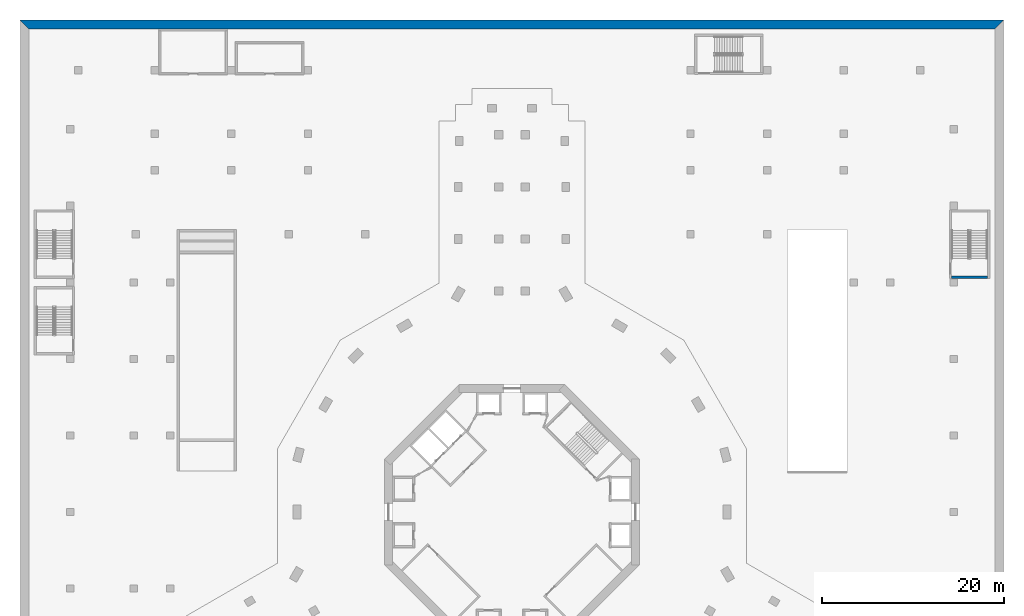
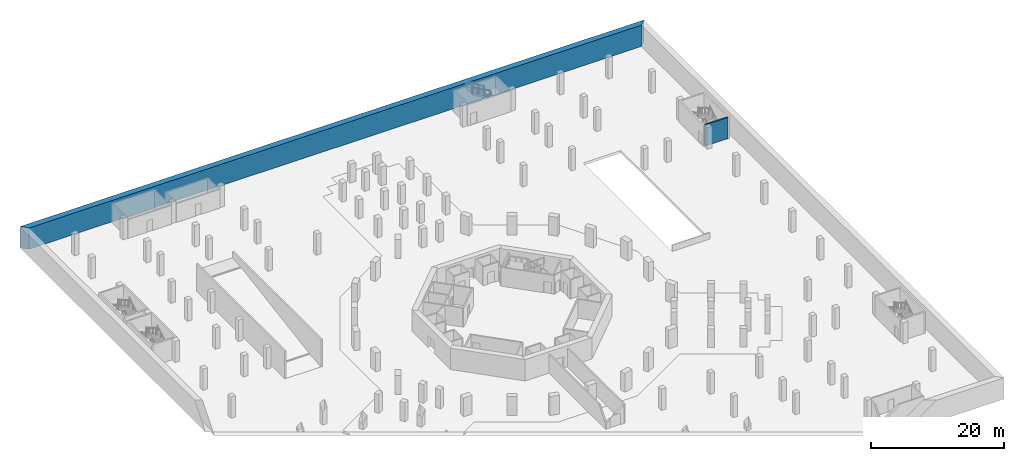
# One storey, part 11 of 25: 2 walls.
"""IFC4 building model written with IfcOpenShell, lengths in metres."""

from ifc_helpers import new_model, si_unit, direction, frame, frame_2d, origin, place, context, subcontext, project, spatial, polyline, rectangle, outline, extrude, material, layer, layer_set, type_object, element, save


model = new_model("IFC4")

# Units and contexts
model_context = context("Model", 3, precision=1e-05, world=origin(), true_north=direction((0.0, 1.0)))
body_context = subcontext(model_context, "Body", "Model", "MODEL_VIEW")
ifc_project = project(units=[si_unit("LENGTHUNIT", "METRE"), si_unit("AREAUNIT", "SQUARE_METRE"), si_unit("VOLUMEUNIT", "CUBIC_METRE"), si_unit("PLANEANGLEUNIT", "RADIAN"), si_unit("MASSUNIT", "GRAM", prefix="KILO")], contexts=[model_context])

# Site, building, storey
site_placement = place(None, origin())
site = spatial("IfcSite", under=ifc_project, at=site_placement, CompositionType="ELEMENT")
building_placement = place(site_placement, origin())
building = spatial("IfcBuilding", under=site, at=building_placement, Name="Verdalira Terraces Hotel", CompositionType="ELEMENT")
storey_placement = place(building_placement, frame((0.0, 0.0, -7.800049)))
storey = spatial("IfcBuildingStorey", under=building, at=storey_placement, Name="B2", CompositionType="ELEMENT", Elevation=-7.800048828125)

# Walls
ifc_material_1 = material(Name="Concrete C40", Category="concrete")
ifc_layer_1 = layer(ifc_material_1, 1.0)
ifc_layer_set_1 = layer_set([ifc_layer_1], Name="Retaining wall 1000 C40")
wall_type_1 = type_object("IfcWallType", Name="Retaining wall 1000 C40", PredefinedType="SOLIDWALL", material=ifc_layer_set_1)
wall_1_placement = place(storey_placement, origin())
element("IfcWall", 1, at=wall_1_placement, inside=storey, type_object=wall_type_1, Name="Retaining wall B2 side 1", PredefinedType="SOLIDWALL", context=body_context, shape_type="SweptSolid", body=[
    extrude(outline(polyline([(54.0, 54.0), (-54.0, 54.0), (-53.0, 53.0), (53.0, 53.0), (54.0, 54.0)])), origin(), (0.0, 0.0, 1.0), 3.900146),
])
ifc_material_2 = material(Name="Concrete C40", Category="concrete")
ifc_layer_2 = layer(ifc_material_2, 0.25)
ifc_layer_set_2 = layer_set([ifc_layer_2], Name="Stair enclosure wall 250 C40")
wall_type_2 = type_object("IfcWallType", Name="Stair enclosure wall 250 C40", PredefinedType="SOLIDWALL", material=ifc_layer_set_2)
wall_2_placement = place(storey_placement, frame((52.199951, 25.774902, 0.0), z_axis=(0.0, 0.0, 1.0), x_axis=(-1.0, 0.0, 0.0)))
element("IfcWall", 2, at=wall_2_placement, inside=storey, type_object=wall_type_2, Name="Stair BS5 enclosure wall", PredefinedType="SOLIDWALL", context=body_context, shape_type="SweptSolid", body=[
    extrude(rectangle(XDim=3.949951, YDim=0.25, at=frame_2d((1.975098, 0.0))), origin(), (0.0, 0.0, 1.0), 3.900146),
])

save(model, "model.ifc")
